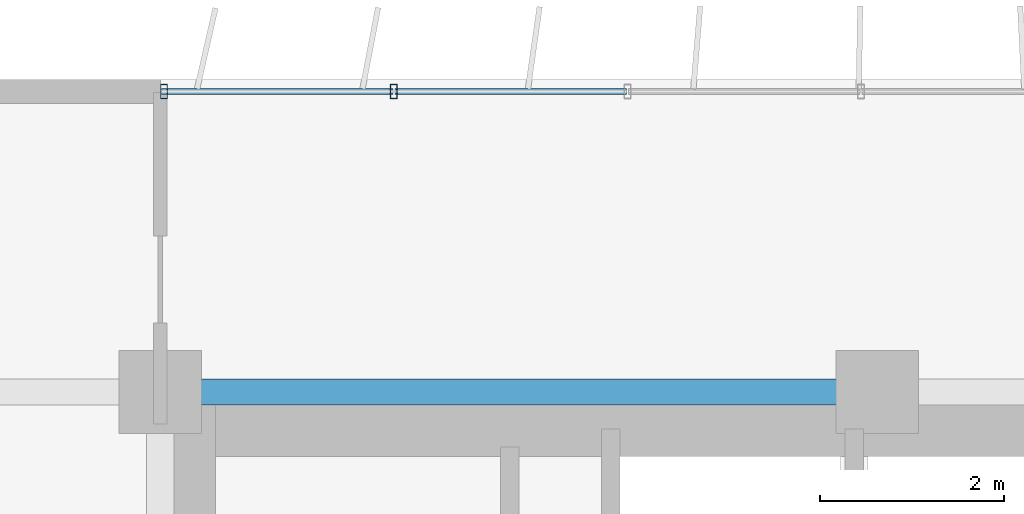
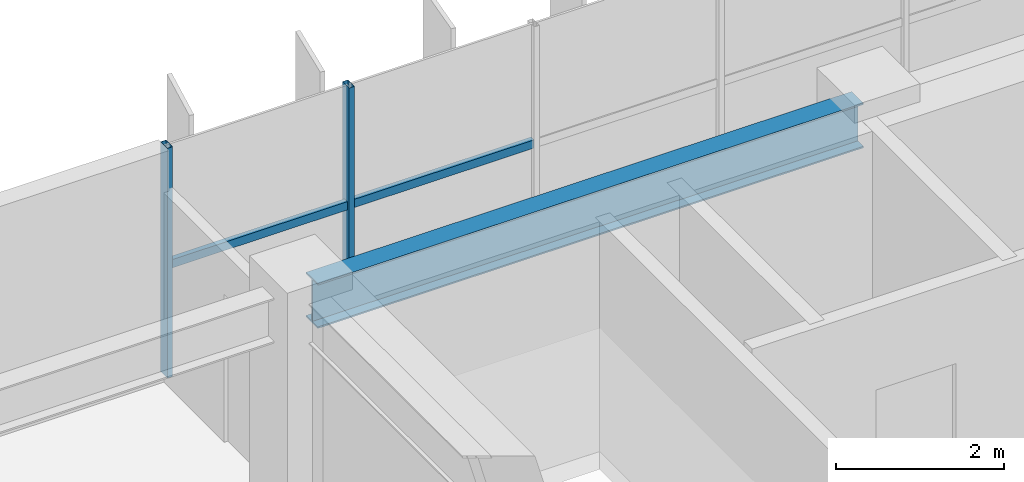
# One storey, part 5 of 22: 4 members, 1 beam, 1 element without a shape of its own.
"""IFC4 building model written with IfcOpenShell, lengths in metres."""

from ifc_helpers import new_model, si_unit, direction, frame, origin, origin_2d, place, context, subcontext, project, spatial, hollow_rectangle, i_section, extrude, source, transform, mapped, material, material_profile, profile_set, type_object, element, aggregate, save


model = new_model("IFC4")

# Units and contexts
model_context = context("Model", 3, precision=1e-05, world=origin(), true_north=direction((0.0, 1.0)))
body_context = subcontext(model_context, "Body", "Model", "MODEL_VIEW")
ifc_project = project(units=[si_unit("LENGTHUNIT", "METRE"), si_unit("AREAUNIT", "SQUARE_METRE"), si_unit("VOLUMEUNIT", "CUBIC_METRE"), si_unit("PLANEANGLEUNIT", "RADIAN"), si_unit("MASSUNIT", "GRAM", prefix="KILO")], contexts=[model_context])

# Site, building, storey
site_placement = place(None, origin())
site = spatial("IfcSite", under=ifc_project, at=site_placement, CompositionType="ELEMENT")
building_placement = place(site_placement, origin())
building = spatial("IfcBuilding", under=site, at=building_placement, Name="Trelvane Seafront Commons", CompositionType="ELEMENT")
storey_placement = place(building_placement, frame((0.0, 0.0, 55.89990234375)))
storey = spatial("IfcBuildingStorey", under=building, at=storey_placement, Name="L14", CompositionType="ELEMENT", Elevation=55.89990234375)

# Beam
ifc_material_1 = material(Name="Steel SM355 (S355)", Category="steel")
ifc_material_profile_1 = material_profile(ifc_material_1, i_section(OverallWidth=0.280029296875, OverallDepth=0.64990234375, WebThickness=0.012939453125, FlangeThickness=0.02197265625, at=origin_2d()), Name="H-650x280x13x22")
ifc_profile_set_1 = profile_set([ifc_material_profile_1], Name="Steel SM355 (S355)")
beam_type = type_object("IfcBeamType", Name="STR-BM-H650", PredefinedType="BEAM", material=ifc_profile_set_1)
shared_shape_1 = source(origin(), body_context, "Body", "SweptSolid", [
    extrude(i_section(OverallWidth=0.280029296875, OverallDepth=0.64990234375, WebThickness=0.012939453125, FlangeThickness=0.02197265625, at=origin_2d()), origin(), (0.0, 0.0, 1.0), 7.5),
])
beam_placement = place(storey_placement, frame((15.75, 45.10009765625, 3.01513671875), z_axis=(1.0, 0.0, 0.0), x_axis=(0.0, 1.0, 0.0)))
element("IfcBeam", 1, at=beam_placement, inside=storey, type_object=beam_type, Name="L14 Primary Girder G-30", PredefinedType="BEAM", context=body_context, shape_type="MappedRepresentation", body=[
    mapped(shared_shape_1, transform((0.0, 0.0, 0.0), x_axis=(1.0, 0.0, 0.0), y_axis=(0.0, 1.0, 0.0), z_axis=(0.0, 0.0, 1.0), scale=1.0)),
])

# Curtain wall, members
ifc_material_2 = material(Name="Anodised pale-silver aluminium", Category="aluminium")
curtain_wall_type = type_object("IfcCurtainWallType", Name="ARCH-CW2-LOWTOWER", PredefinedType="NOTDEFINED", material=ifc_material_2)
curtain_wall_placement = place(storey_placement, origin())
curtain_wall = element("IfcCurtainWall", 2, at=curtain_wall_placement, inside=storey, type_object=curtain_wall_type, Name="CW-L14-0038", PredefinedType="NOTDEFINED")
ifc_material_profile_2 = material_profile(ifc_material_2, hollow_rectangle(XDim=0.074951171875, YDim=0.159912109375, WallThickness=0.00390625, at=origin_2d()), Name="MULL-75x160x4")
ifc_profile_set_2 = profile_set([ifc_material_profile_2], Name="Anodised pale-silver aluminium")
member_type_1 = type_object("IfcMemberType", Name="ARCH-CW-MULL-160", PredefinedType="MULLION", material=ifc_profile_set_2)
shared_shape_2 = source(origin(), body_context, "Body", "SweptSolid", [
    extrude(hollow_rectangle(XDim=0.074951171875, YDim=0.159912109375, WallThickness=0.00390625, at=origin_2d()), origin(), (0.0, 0.0, 1.0), 3.340087890625),
])
member_1_placement = place(storey_placement, frame((15.639892578125, 48.3701171875, 0.0), z_axis=(0.0, 0.0, 1.0), x_axis=(1.0, 0.0, 0.0)))
member_1 = element("IfcMember", 3, at=member_1_placement, type_object=member_type_1, Name="CW-L14-0038-M00", PredefinedType="MULLION", context=body_context, shape_type="MappedRepresentation", body=[
    mapped(shared_shape_2, transform((0.0, 0.0, 0.0), x_axis=(1.0, 0.0, 0.0), y_axis=(0.0, 1.0, 0.0), z_axis=(0.0, 0.0, 1.0), scale=1.0)),
])
member_2_placement = place(storey_placement, frame((18.14111328125, 48.3701171875, 0.0), z_axis=(0.0, 0.0, 1.0), x_axis=(1.0, 0.0, 0.0)))
member_2 = element("IfcMember", 4, at=member_2_placement, type_object=member_type_1, Name="CW-L14-0038-M01", PredefinedType="MULLION", context=body_context, shape_type="MappedRepresentation", body=[
    mapped(shared_shape_2, transform((0.0, 0.0, 0.0), x_axis=(1.0, 0.0, 0.0), y_axis=(0.0, 1.0, 0.0), z_axis=(0.0, 0.0, 1.0), scale=1.0)),
])
ifc_material_profile_3 = material_profile(ifc_material_2, hollow_rectangle(XDim=0.070068359375, YDim=0.1201171875, WallThickness=0.00390625, at=origin_2d()), Name="TRAN-70x120x4")
ifc_profile_set_3 = profile_set([ifc_material_profile_3], Name="Anodised pale-silver aluminium")
member_type_2 = type_object("IfcMemberType", Name="ARCH-CW-TRAN-120", PredefinedType="USERDEFINED", material=ifc_profile_set_3)
shared_shape_3 = source(origin(), body_context, "Body", "SweptSolid", [
    extrude(hollow_rectangle(XDim=0.070068359375, YDim=0.1201171875, WallThickness=0.00390625, at=origin_2d()), origin(), (0.0, 0.0, 1.0), 2.51708984375),
])
member_3_placement = place(storey_placement, frame((15.612060546875, 48.3701171875, 1.60302734375), z_axis=(1.0, 0.0, 0.0), x_axis=(0.0, 1.0, 0.0)))
member_3 = element("IfcMember", 5, at=member_3_placement, type_object=member_type_2, Name="CW-L14-0038-T00", ObjectType="TRANSOM", PredefinedType="USERDEFINED", context=body_context, shape_type="MappedRepresentation", body=[
    mapped(shared_shape_3, transform((0.0, 0.0, 0.0), x_axis=(1.0, 0.0, 0.0), y_axis=(0.0, 1.0, 0.0), z_axis=(0.0, 0.0, 1.0), scale=1.0)),
])
member_4_placement = place(storey_placement, frame((18.1533203125, 48.3701171875, 1.60302734375), z_axis=(1.0, 0.0, 0.0), x_axis=(0.0, 1.0, 0.0)))
member_4 = element("IfcMember", 6, at=member_4_placement, type_object=member_type_2, Name="CW-L14-0038-T01", ObjectType="TRANSOM", PredefinedType="USERDEFINED", context=body_context, shape_type="MappedRepresentation", body=[
    mapped(shared_shape_3, transform((0.0, 0.0, 0.0), x_axis=(1.0, 0.0, 0.0), y_axis=(0.0, 1.0, 0.0), z_axis=(0.0, 0.0, 1.0), scale=1.0)),
])
aggregate(curtain_wall, [member_1, member_2, member_3, member_4])

save(model, "model.ifc")
